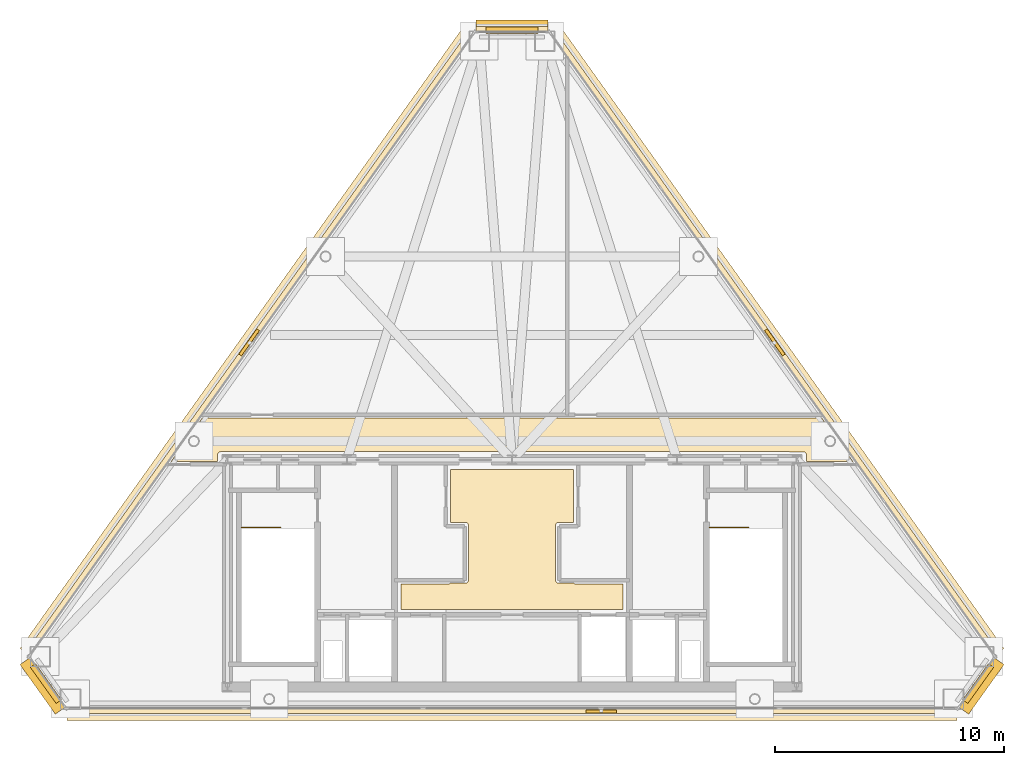
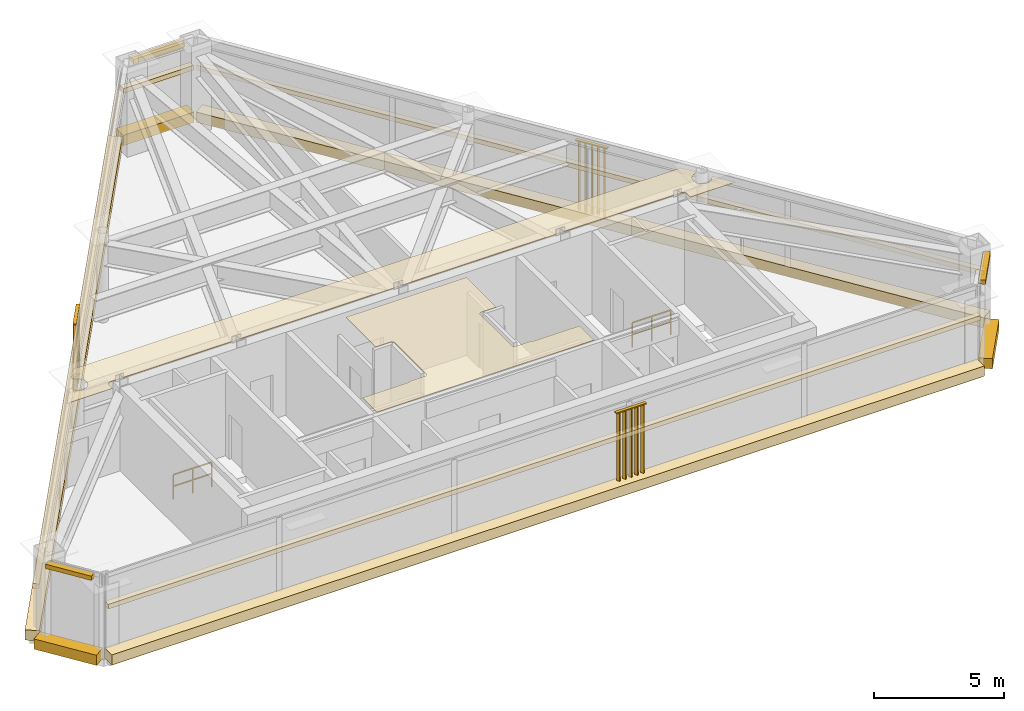
# One storey, part 7 of 7: 12 coverings, 6 shading devices, 2 railings.
"""IFC4 building model written with IfcOpenShell, lengths in metres."""

from ifc_helpers import new_model, si_unit, direction, frame, origin, origin_2d, place, context, subcontext, project, spatial, polyline, rectangle, outline, extrude, source, transform, mapped, material, layer, layer_set, type_object, type_shapes, element, save


model = new_model("IFC4")

# Units and contexts
model_context = context("Model", 3, precision=1e-05, world=origin(), true_north=direction((0.0, 1.0)))
body_context = subcontext(model_context, "Body", "Model", "MODEL_VIEW")
ifc_project = project(units=[si_unit("LENGTHUNIT", "METRE"), si_unit("AREAUNIT", "SQUARE_METRE"), si_unit("VOLUMEUNIT", "CUBIC_METRE"), si_unit("PLANEANGLEUNIT", "RADIAN"), si_unit("MASSUNIT", "GRAM", prefix="KILO")], contexts=[model_context])

# Site, building, storey
site_placement = place(None, origin())
site = spatial("IfcSite", under=ifc_project, at=site_placement, CompositionType="ELEMENT")
building_placement = place(site_placement, origin())
building = spatial("IfcBuilding", under=site, at=building_placement, Name="Talgorran Terracotta Tower", CompositionType="ELEMENT")
storey_placement = place(building_placement, frame((0.0, 0.0, 306.0)))
storey = spatial("IfcBuildingStorey", under=building, at=storey_placement, Name="L80", CompositionType="ELEMENT", Elevation=306.0)

# Coverings
ifc_material_1 = material(Name="Kiln-Fired Terracotta Ochre Ceramic", Category="masonry")
ifc_layer_1 = layer(ifc_material_1, 0.179931640625, Name="COV_BAGUETTE_TERRACOTTA_SCREEN")
ifc_layer_set_1 = layer_set([ifc_layer_1], Name="Kiln-Fired Terracotta Ochre Ceramic")
covering_type_1 = type_object("IfcCoveringType", Name="COV_BAGUETTE_TERRACOTTA_SCREEN", PredefinedType="CLADDING", material=ifc_layer_set_1)
covering_1_placement = place(storey_placement, frame((0.0, -15.1298828125, 2.41015625), z_axis=(0.0, 0.0, 1.0), x_axis=(1.0, 0.0, 0.0)))
element("IfcCovering", 1, at=covering_1_placement, inside=storey, type_object=covering_type_1, Name="L80 Terracotta Baguette Solar Screen Assembly F1", PredefinedType="CLADDING", context=body_context, shape_type="SweptSolid", body=[
    extrude(rectangle(XDim=38.758056640625, YDim=0.260009765625, at=origin_2d()), origin(), (0.0, 0.0, 1.0), 0.219970703125),
])
covering_2_placement = place(storey_placement, frame((11.4267578125, 0.898193359375, 2.41015625), z_axis=(0.0, 0.0, 1.0), x_axis=(-0.580759790281, 0.814074975658, 0.0)))
element("IfcCovering", 2, at=covering_2_placement, inside=storey, type_object=covering_type_1, Name="L80 Terracotta Baguette Solar Screen Assembly F3", PredefinedType="CLADDING", context=body_context, shape_type="SweptSolid", body=[
    extrude(rectangle(XDim=33.30810546875, YDim=0.260009765625, at=origin_2d()), origin(), (0.0, 0.0, 1.0), 0.219970703125),
])
covering_3_placement = place(storey_placement, frame((0.0, 14.5546875, 2.41015625), z_axis=(0.0, 0.0, 1.0), x_axis=(-1.0, 0.0, 0.0)))
element("IfcCovering", 3, at=covering_3_placement, inside=storey, type_object=covering_type_1, Name="L80 Terracotta Baguette Solar Screen Assembly F4", PredefinedType="CLADDING", context=body_context, shape_type="SweptSolid", body=[
    extrude(rectangle(XDim=3.12548828125, YDim=0.260009765625, at=origin_2d()), origin(), (0.0, 0.0, 1.0), 0.219970703125),
])
covering_4_placement = place(storey_placement, frame((-11.4267578125, 0.898193359375, 2.41015625), z_axis=(0.0, 0.0, 1.0), x_axis=(-0.580759790281, -0.814074975658, 0.0)))
element("IfcCovering", 4, at=covering_4_placement, inside=storey, type_object=covering_type_1, Name="L80 Terracotta Baguette Solar Screen Assembly F5", PredefinedType="CLADDING", context=body_context, shape_type="SweptSolid", body=[
    extrude(rectangle(XDim=33.30810546875, YDim=0.260009765625, at=origin_2d()), origin(), (0.0, 0.0, 1.0), 0.219970703125),
])
ifc_material_2 = material(Name="Mineral Fibre Acoustic Tile")
ifc_layer_2 = layer(ifc_material_2, 0.02490234375, Name="COV_CEIL_ACOUSTIC")
ifc_layer_set_2 = layer_set([ifc_layer_2], Name="Mineral Fibre Acoustic Tile")
covering_type_2 = type_object("IfcCoveringType", Name="COV_CEIL_ACOUSTIC", PredefinedType="CEILING", material=ifc_layer_set_2)
covering_5_placement = place(storey_placement, frame((0.0, 0.0, 3.81005859375)))
element("IfcCovering", 5, at=covering_5_placement, inside=storey, type_object=covering_type_2, Name="CEIL-L80-2", PredefinedType="CEILING", context=body_context, shape_type="SweptSolid", body=[
    extrude(outline(polyline([(-13.5185546875, -3.23828125), (-13.517822265625, -3.2294921875), (-13.51806640625, -3.2177734375), (-13.519287109375, -3.2060546875), (-13.52197265625, -3.194580078125), (-13.525634765625, -3.183349609375), (-13.5302734375, -3.172607421875), (-13.535888671875, -3.162109375), (-13.542724609375, -3.152587890625), (-13.55029296875, -3.1435546875), (-13.558837890625, -3.135498046875), (-13.568115234375, -3.128173828125), (-13.885498046875, -2.901611328125), (-13.51708984375, -2.385009765625), (13.51708984375, -2.385009765625), (13.885498046875, -2.901611328125), (13.568115234375, -3.128173828125), (13.558837890625, -3.135498046875), (13.55029296875, -3.1435546875), (13.542724609375, -3.152587890625), (13.535888671875, -3.162109375), (13.5302734375, -3.172607421875), (13.525634765625, -3.183349609375), (13.52197265625, -3.194580078125), (13.519287109375, -3.2060546875), (13.51806640625, -3.2177734375), (13.517822265625, -3.2294921875), (13.5185546875, -3.23828125), (13.51806640625, -3.239501953125), (13.51416015625, -3.250732421875), (13.51123046875, -3.26220703125), (13.491455078125, -3.361083984375), (13.48974609375, -3.37255859375), (13.4892578125, -3.384521484375), (13.48974609375, -3.396240234375), (13.491455078125, -3.40771484375), (13.51123046875, -3.506591796875), (13.51416015625, -3.51806640625), (13.51806640625, -3.529296875), (13.523193359375, -3.539794921875), (13.529052734375, -3.5498046875), (13.585205078125, -3.6337890625), (13.592041015625, -3.643310546875), (13.60009765625, -3.652099609375), (13.60888671875, -3.659912109375), (13.618408203125, -3.6669921875), (13.7021484375, -3.722900390625), (13.71240234375, -3.72900390625), (13.722900390625, -3.734130859375), (13.73388671875, -3.738037109375), (13.745361328125, -3.740966796875), (13.84423828125, -3.760498046875), (13.85595703125, -3.76220703125), (13.86767578125, -3.762939453125), (13.87939453125, -3.76220703125), (13.89111328125, -3.760498046875), (13.989990234375, -3.740966796875), (14.00146484375, -3.738037109375), (14.012451171875, -3.734130859375), (14.023193359375, -3.72900390625), (14.033203125, -3.722900390625), (14.1171875, -3.6669921875), (14.126708984375, -3.659912109375), (14.135498046875, -3.652099609375), (14.143310546875, -3.643310546875), (14.150390625, -3.6337890625), (14.206298828125, -3.5498046875), (14.21240234375, -3.539794921875), (14.21728515625, -3.529296875), (14.22119140625, -3.51806640625), (14.22412109375, -3.506591796875), (14.226806640625, -3.493408203125), (14.280517578125, -3.455078125), (14.8583984375, -4.264892578125), (12.8349609375, -4.264892578125), (12.8349609375, -3.978515625), (12.834228515625, -3.966796875), (12.83251953125, -3.955078125), (12.829833984375, -3.94384765625), (12.82568359375, -3.9326171875), (12.822509765625, -3.9248046875), (12.817626953125, -3.914306640625), (12.8115234375, -3.904296875), (12.8046875, -3.894775390625), (12.797119140625, -3.88623046875), (12.788330078125, -3.87841796875), (12.779052734375, -3.871337890625), (12.77197265625, -3.866455078125), (12.76171875, -3.860107421875), (12.7509765625, -3.85498046875), (12.73974609375, -3.850830078125), (12.728271484375, -3.847900390625), (12.71630859375, -3.84619140625), (12.704345703125, -3.845703125), (7.432861328125, -3.844970703125), (6.968017578125, -3.843017578125), (6.967529296875, -3.843017578125), (0.232666015625, -3.844970703125), (-0.23193359375, -3.843017578125), (-0.232421875, -3.843017578125), (-6.96728515625, -3.844970703125), (-7.431884765625, -3.843017578125), (-7.4326171875, -3.843017578125), (-12.699951171875, -3.844970703125), (-12.711669921875, -3.845703125), (-12.723388671875, -3.847412109375), (-12.734619140625, -3.85009765625), (-12.742919921875, -3.8525390625), (-12.75390625, -3.8564453125), (-12.7646484375, -3.861572265625), (-12.77490234375, -3.86767578125), (-12.7841796875, -3.87451171875), (-12.79296875, -3.882568359375), (-12.80078125, -3.89111328125), (-12.806396484375, -3.89794921875), (-12.813720703125, -3.907470703125), (-12.819580078125, -3.91748046875), (-12.82470703125, -3.927978515625), (-12.82861328125, -3.939208984375), (-12.83154296875, -3.95068359375), (-12.833251953125, -3.962158203125), (-12.833984375, -3.97412109375), (-12.834716796875, -4.264892578125), (-14.8583984375, -4.264892578125), (-14.280517578125, -3.455078125), (-14.226806640625, -3.493408203125), (-14.22412109375, -3.506591796875), (-14.22119140625, -3.51806640625), (-14.21728515625, -3.529296875), (-14.21240234375, -3.539794921875), (-14.206298828125, -3.5498046875), (-14.150390625, -3.6337890625), (-14.143310546875, -3.643310546875), (-14.135498046875, -3.652099609375), (-14.126708984375, -3.659912109375), (-14.1171875, -3.6669921875), (-14.033203125, -3.722900390625), (-14.023193359375, -3.72900390625), (-14.012451171875, -3.734130859375), (-14.00146484375, -3.738037109375), (-13.989990234375, -3.740966796875), (-13.89111328125, -3.760498046875), (-13.87939453125, -3.76220703125), (-13.86767578125, -3.762939453125), (-13.85595703125, -3.76220703125), (-13.84423828125, -3.760498046875), (-13.745361328125, -3.740966796875), (-13.73388671875, -3.738037109375), (-13.722900390625, -3.734130859375), (-13.71240234375, -3.72900390625), (-13.7021484375, -3.722900390625), (-13.618408203125, -3.6669921875), (-13.60888671875, -3.659912109375), (-13.60009765625, -3.652099609375), (-13.592041015625, -3.643310546875), (-13.585205078125, -3.6337890625), (-13.529052734375, -3.5498046875), (-13.523193359375, -3.539794921875), (-13.51806640625, -3.529296875), (-13.51416015625, -3.51806640625), (-13.51123046875, -3.506591796875), (-13.491455078125, -3.40771484375), (-13.48974609375, -3.396240234375), (-13.4892578125, -3.384521484375), (-13.48974609375, -3.37255859375), (-13.491455078125, -3.361083984375), (-13.51123046875, -3.26220703125), (-13.51416015625, -3.250732421875), (-13.51806640625, -3.239501953125), (-13.5185546875, -3.23828125)])), origin(), (0.0, 0.0, 1.0), 0.02001953125),
])
ifc_material_3 = material(Name="Flush Moisture-Resistant Plaster")
ifc_layer_3 = layer(ifc_material_3, 0.01806640625, Name="COV_CEIL_PLASTER")
ifc_layer_set_3 = layer_set([ifc_layer_3], Name="Flush Moisture-Resistant Plaster")
covering_type_3 = type_object("IfcCoveringType", Name="COV_CEIL_PLASTER", PredefinedType="CEILING", material=ifc_layer_set_3)
covering_6_placement = place(storey_placement, frame((0.0, 0.0, 3.81005859375)))
element("IfcCovering", 6, at=covering_6_placement, inside=storey, type_object=covering_type_3, Name="CEIL-L80-1", PredefinedType="CEILING", context=body_context, shape_type="SweptSolid", body=[
    extrude(outline(polyline([(-2.70263671875, -9.570068359375), (-2.02001953125, -9.570068359375), (-2.00830078125, -9.5693359375), (-1.99658203125, -9.567626953125), (-1.985107421875, -9.564697265625), (-1.97412109375, -9.560791015625), (-1.96337890625, -9.555908203125), (-1.953369140625, -9.5498046875), (-1.94384765625, -9.542724609375), (-1.93505859375, -9.534912109375), (-1.92724609375, -9.526123046875), (-1.920166015625, -9.5166015625), (-1.914306640625, -9.506591796875), (-1.9091796875, -9.495849609375), (-1.9052734375, -9.48486328125), (-1.90234375, -9.473388671875), (-1.900634765625, -9.4619140625), (-1.89990234375, -9.449951171875), (-1.89990234375, -7.050048828125), (-1.900634765625, -7.0380859375), (-1.90234375, -7.026611328125), (-1.9052734375, -7.01513671875), (-1.9091796875, -7.004150390625), (-1.914306640625, -6.993408203125), (-1.920166015625, -6.9833984375), (-1.92724609375, -6.973876953125), (-1.93505859375, -6.965087890625), (-1.94384765625, -6.957275390625), (-1.953369140625, -6.9501953125), (-1.96337890625, -6.944091796875), (-1.97412109375, -6.939208984375), (-1.985107421875, -6.935302734375), (-1.99658203125, -6.932373046875), (-2.00830078125, -6.9306640625), (-2.02001953125, -6.929931640625), (-2.679931640625, -6.929931640625), (-2.679931640625, -4.6201171875), (2.679931640625, -4.6201171875), (2.679931640625, -6.929931640625), (2.02001953125, -6.929931640625), (2.00830078125, -6.9306640625), (1.99658203125, -6.932373046875), (1.985107421875, -6.935302734375), (1.97412109375, -6.939208984375), (1.96337890625, -6.944091796875), (1.953369140625, -6.9501953125), (1.94384765625, -6.957275390625), (1.93505859375, -6.965087890625), (1.92724609375, -6.973876953125), (1.920166015625, -6.9833984375), (1.914306640625, -6.993408203125), (1.9091796875, -7.004150390625), (1.9052734375, -7.01513671875), (1.90234375, -7.026611328125), (1.900634765625, -7.0380859375), (1.89990234375, -7.050048828125), (1.89990234375, -9.449951171875), (1.900634765625, -9.4619140625), (1.90234375, -9.473388671875), (1.9052734375, -9.48486328125), (1.9091796875, -9.495849609375), (1.914306640625, -9.506591796875), (1.920166015625, -9.5166015625), (1.92724609375, -9.526123046875), (1.93505859375, -9.534912109375), (1.94384765625, -9.542724609375), (1.953369140625, -9.5498046875), (1.96337890625, -9.555908203125), (1.97412109375, -9.560791015625), (1.985107421875, -9.564697265625), (1.99658203125, -9.567626953125), (2.00830078125, -9.5693359375), (2.02001953125, -9.570068359375), (2.70263671875, -9.570068359375), (2.707275390625, -9.576171875), (2.715087890625, -9.5849609375), (2.723876953125, -9.5927734375), (2.7333984375, -9.599853515625), (2.743408203125, -9.605712890625), (2.754150390625, -9.61083984375), (2.76513671875, -9.61474609375), (2.776611328125, -9.61767578125), (2.7880859375, -9.619384765625), (2.800048828125, -9.6201171875), (4.830078125, -9.6201171875), (4.830078125, -10.72998046875), (-4.830078125, -10.72998046875), (-4.830078125, -9.6201171875), (-2.800048828125, -9.6201171875), (-2.7880859375, -9.619384765625), (-2.776611328125, -9.61767578125), (-2.76513671875, -9.61474609375), (-2.754150390625, -9.61083984375), (-2.743408203125, -9.605712890625), (-2.7333984375, -9.599853515625), (-2.723876953125, -9.5927734375), (-2.715087890625, -9.5849609375), (-2.707275390625, -9.576171875), (-2.70263671875, -9.570068359375)])), origin(), (0.0, 0.0, 1.0), 0.02001953125),
])
ifc_material_4 = material(Name="Honed Limestone Cladding", Category="masonry")
ifc_layer_4 = layer(ifc_material_4, 0.094970703125, Name="COV_PORTAL_LIME")
ifc_layer_set_4 = layer_set([ifc_layer_4], Name="Honed Limestone Cladding")
covering_type_4 = type_object("IfcCoveringType", Name="COV_PORTAL_LIME", PredefinedType="CLADDING", material=ifc_layer_set_4)
covering_7_placement = place(storey_placement, frame((-20.448974609375, -14.041748046875, -0.0400390625), z_axis=(0.0, 0.0, 1.0), x_axis=(0.580759790281, -0.814074975658, 0.0)))
element("IfcCovering", 7, at=covering_7_placement, inside=storey, type_object=covering_type_4, Name="L80 Striped Postmodern Portal Cladding Band F0", PredefinedType="CLADDING", context=body_context, shape_type="SweptSolid", body=[
    extrude(rectangle(XDim=2.650390625, YDim=0.56005859375, at=origin_2d()), origin(), (0.0, 0.0, 1.0), 0.47998046875),
])
covering_8_placement = place(storey_placement, frame((0.0, -15.27001953125, -0.0400390625), z_axis=(0.0, 0.0, 1.0), x_axis=(1.0, 0.0, 0.0)))
element("IfcCovering", 8, at=covering_8_placement, inside=storey, type_object=covering_type_4, Name="L80 Striped Postmodern Portal Cladding Band F1", PredefinedType="CLADDING", context=body_context, shape_type="SweptSolid", body=[
    extrude(rectangle(XDim=38.778076171875, YDim=0.56005859375, at=origin_2d()), origin(), (0.0, 0.0, 1.0), 0.47998046875),
])
covering_9_placement = place(storey_placement, frame((20.448974609375, -14.041748046875, -0.0400390625), z_axis=(0.0, 0.0, 1.0), x_axis=(0.580759790281, 0.814074975658, 0.0)))
element("IfcCovering", 9, at=covering_9_placement, inside=storey, type_object=covering_type_4, Name="L80 Striped Postmodern Portal Cladding Band F2", PredefinedType="CLADDING", context=body_context, shape_type="SweptSolid", body=[
    extrude(rectangle(XDim=2.650390625, YDim=0.56005859375, at=origin_2d()), origin(), (0.0, 0.0, 1.0), 0.47998046875),
])
covering_10_placement = place(storey_placement, frame((11.540771484375, 0.9794921875, -0.0400390625), z_axis=(0.0, 0.0, 1.0), x_axis=(-0.580759790281, 0.814074975658, 0.0)))
element("IfcCovering", 10, at=covering_10_placement, inside=storey, type_object=covering_type_4, Name="L80 Striped Postmodern Portal Cladding Band F3", PredefinedType="CLADDING", context=body_context, shape_type="SweptSolid", body=[
    extrude(rectangle(XDim=33.327880859375, YDim=0.56005859375, at=origin_2d()), origin(), (0.0, 0.0, 1.0), 0.47998046875),
])
covering_11_placement = place(storey_placement, frame((0.0, 14.694580078125, -0.0400390625), z_axis=(0.0, 0.0, 1.0), x_axis=(-1.0, 0.0, 0.0)))
element("IfcCovering", 11, at=covering_11_placement, inside=storey, type_object=covering_type_4, Name="L80 Striped Postmodern Portal Cladding Band F4", PredefinedType="CLADDING", context=body_context, shape_type="SweptSolid", body=[
    extrude(rectangle(XDim=3.1455078125, YDim=0.56005859375, at=origin_2d()), origin(), (0.0, 0.0, 1.0), 0.47998046875),
])
covering_12_placement = place(storey_placement, frame((-11.540771484375, 0.9794921875, -0.0400390625), z_axis=(0.0, 0.0, 1.0), x_axis=(-0.580759790281, -0.814074975658, 0.0)))
element("IfcCovering", 12, at=covering_12_placement, inside=storey, type_object=covering_type_4, Name="L80 Striped Postmodern Portal Cladding Band F5", PredefinedType="CLADDING", context=body_context, shape_type="SweptSolid", body=[
    extrude(rectangle(XDim=33.327880859375, YDim=0.56005859375, at=origin_2d()), origin(), (0.0, 0.0, 1.0), 0.47998046875),
])

# Railings
ifc_material_5 = material(Name="Steel S355 (300PLUS)", Category="steel")
railing_type = type_object("IfcRailingType", Name="RL_STAIR_GUARD", PredefinedType="GUARDRAIL", material=ifc_material_5)
for number, where, name in (
    (13, (-11.800048828125, -7.14990234375, 0.0), "L80 ST-01 top well guard 1"),
    (14, (8.60009765625, -7.14990234375, 0.0), "L80 ST-02 top well guard 1"),
):
    element("IfcRailing", number, at=place(storey_placement, frame(where)), inside=storey, type_object=railing_type, Name=name, PredefinedType="GUARDRAIL", context=body_context, shape_type="SweptSolid", body=[
        extrude(rectangle(XDim=0.048095703125, YDim=0.048095703125, at=origin_2d()), frame((0.0, 0.0, 1.15576171875), z_axis=(1.0, 0.0, 0.0), x_axis=(0.0, 1.0, 0.0)), (0.0, 0.0, 1.0), 1.699951171875),
        extrude(rectangle(XDim=0.048095703125, YDim=0.048095703125, at=origin_2d()), frame((0.0, 0.0, 0.613525390625), z_axis=(1.0, 0.0, 0.0), x_axis=(0.0, 1.0, 0.0)), (0.0, 0.0, 1.0), 1.699951171875),
        extrude(rectangle(XDim=0.0419921875, YDim=0.0419921875, at=origin_2d()), origin(), (0.0, 0.0, 1.0), 1.1318359375),
        extrude(rectangle(XDim=0.0419921875, YDim=0.0419921875, at=origin_2d()), frame((0.85009765625, 0.0, 0.0)), (0.0, 0.0, 1.0), 1.1318359375),
        extrude(rectangle(XDim=0.0419921875, YDim=0.0419921875, at=origin_2d()), frame((1.699951171875, 0.0, 0.0)), (0.0, 0.0, 1.0), 1.1318359375),
    ])

# Shading devices
ifc_material_6 = material(Name="Kiln-Fired Terracotta", Category="masonry")
ifc_layer_5 = layer(ifc_material_6, 0.280029296875, Name="SHD_SUNSHADE_TERRA")
ifc_layer_set_5 = layer_set([ifc_layer_5], Name="Kiln-Fired Terracotta")
shading_device_type_1 = type_object("IfcShadingDeviceType", Name="SHD_SUNSHADE_TERRA", PredefinedType="AWNING", material=ifc_layer_set_5)
shared_shape_1 = source(origin(), body_context, "Body", "SweptSolid", [
    extrude(rectangle(XDim=1.939453125, YDim=0.280029296875, at=origin_2d()), origin(), (0.0, 0.0, 1.0), 0.199951171875),
])
for number, where, z_axis, x_axis, name in (
    (15, (-20.318603515625, -13.94873046875, 3.66015625), (0.0, 0.0, 1.0), (0.580759790281, -0.814074975658, 0.0), "SHD-BROW-L80-F0"),
    (16, (20.318603515625, -13.94873046875, 3.66015625), (0.0, 0.0, 1.0), (0.580759790281, 0.814074975658, 0.0), "SHD-BROW-L80-F2"),
):
    element("IfcShadingDevice", number, at=place(storey_placement, frame(where, z_axis=z_axis, x_axis=x_axis)), inside=storey, type_object=shading_device_type_1, Name=name, PredefinedType="AWNING", context=body_context, shape_type="MappedRepresentation", body=[
        mapped(shared_shape_1, transform((0.0, 0.0, 0.0), scale=1.0)),
    ])
ifc_layer_6 = layer(ifc_material_6, 0.139892578125, Name="SHD_BAGUETTE_TERRA")
ifc_layer_set_6 = layer_set([ifc_layer_6], Name="Kiln-Fired Terracotta")
shading_device_type_2 = type_object("IfcShadingDeviceType", Name="SHD_BAGUETTE_TERRA", PredefinedType="JALOUSIE", material=ifc_layer_set_6)
shared_shape_2 = source(origin(), body_context, "Body", "SweptSolid", [
    extrude(rectangle(XDim=1.35009765625, YDim=0.139892578125, at=origin_2d()), origin(), (0.0, 0.0, 1.0), 0.054931640625),
    extrude(rectangle(XDim=1.35009765625, YDim=0.139892578125, at=origin_2d()), frame((0.0, 0.0, 3.295166015625)), (0.0, 0.0, 1.0), 0.054931640625),
    extrude(rectangle(XDim=0.074951171875, YDim=0.139892578125, at=origin_2d()), frame((-0.53515625, 0.0, 0.054931640625), z_axis=(0.0, 0.0, 1.0), x_axis=(0.866025403784, 0.5, 0.0)), (0.0, 0.0, 1.0), 3.240234375),
    extrude(rectangle(XDim=0.074951171875, YDim=0.139892578125, at=origin_2d()), frame((-0.267578125, 0.0, 0.054931640625), z_axis=(0.0, 0.0, 1.0), x_axis=(0.866025403784, 0.5, 0.0)), (0.0, 0.0, 1.0), 3.240234375),
    extrude(rectangle(XDim=0.074951171875, YDim=0.139892578125, at=origin_2d()), frame((0.0, 0.0, 0.054931640625), z_axis=(0.0, 0.0, 1.0), x_axis=(0.866025403784, 0.5, 0.0)), (0.0, 0.0, 1.0), 3.240234375),
    extrude(rectangle(XDim=0.074951171875, YDim=0.139892578125, at=origin_2d()), frame((0.267578125, 0.0, 0.054931640625), z_axis=(0.0, 0.0, 1.0), x_axis=(0.866025403784, 0.5, 0.0)), (0.0, 0.0, 1.0), 3.240234375),
    extrude(rectangle(XDim=0.074951171875, YDim=0.139892578125, at=origin_2d()), frame((0.53515625, 0.0, 0.054931640625), z_axis=(0.0, 0.0, 1.0), x_axis=(0.866025403784, 0.5, 0.0)), (0.0, 0.0, 1.0), 3.240234375),
])
type_shapes(shading_device_type_2, [shared_shape_2])
for number, where, z_axis, x_axis, name in (
    (17, (3.889892578125, -15.169921875, 0.349853515625), (0.0, 0.0, 1.0), (1.0, 0.0, 0.0), "BAG-L80-F1"),
    (18, (11.45947265625, 0.92138671875, 0.349853515625), (0.0, 0.0, 1.0), (-0.580759790281, 0.814074975658, 0.0), "BAG-L80-F3"),
    (19, (-11.45947265625, 0.92138671875, 0.349853515625), (0.0, 0.0, 1.0), (-0.580759790281, -0.814074975658, 0.0), "BAG-L80-F5"),
):
    element("IfcShadingDevice", number, at=place(storey_placement, frame(where, z_axis=z_axis, x_axis=x_axis)), inside=storey, type_object=shading_device_type_2, Name=name, PredefinedType="JALOUSIE", context=body_context, shape_type="MappedRepresentation", body=[
        mapped(shared_shape_2, transform((0.0, 0.0, 0.0), scale=1.0)),
    ])
shared_shape_3 = source(origin(), body_context, "Body", "SweptSolid", [
    extrude(rectangle(XDim=2.285888671875, YDim=0.280029296875, at=origin_2d()), origin(), (0.0, 0.0, 1.0), 0.199951171875),
])
type_shapes(shading_device_type_1, [shared_shape_1, shared_shape_3])
shading_device_placement = place(storey_placement, frame((0.0, 14.53466796875, 3.66015625), z_axis=(0.0, 0.0, 1.0), x_axis=(-1.0, 0.0, 0.0)))
element("IfcShadingDevice", 20, at=shading_device_placement, inside=storey, type_object=shading_device_type_1, Name="SHD-BROW-L80-F4", PredefinedType="AWNING", context=body_context, shape_type="MappedRepresentation", body=[
    mapped(shared_shape_3, transform((0.0, 0.0, 0.0), scale=1.0)),
])

save(model, "model.ifc")
